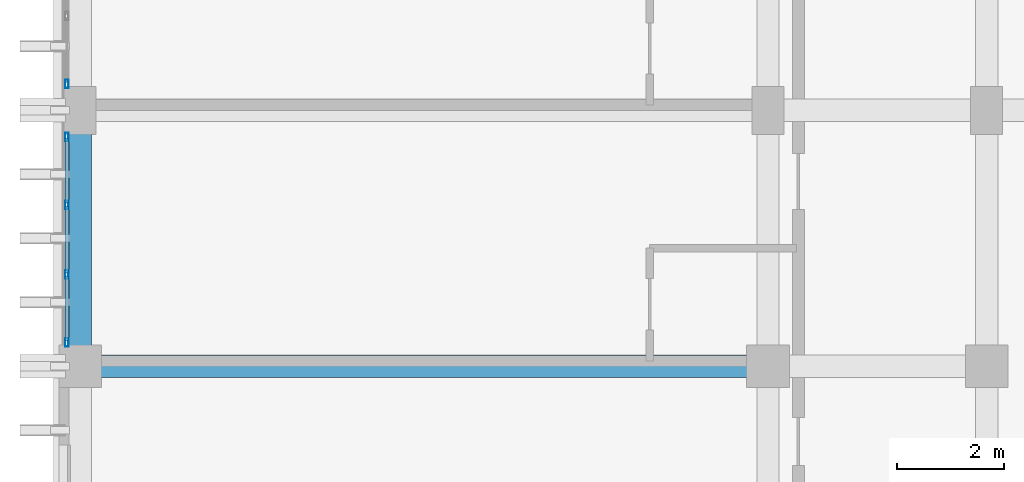
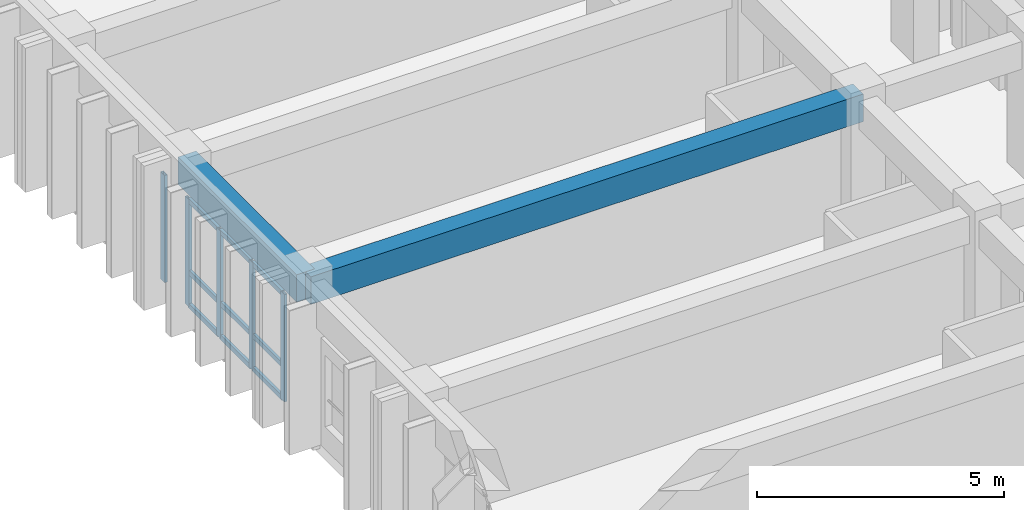
# One storey, part 20 of 82: 14 members, 2 beams, 2 elements without a shape of their own.
"""IFC4 building model written with IfcOpenShell, lengths in metres."""

from ifc_helpers import new_model, si_unit, direction, frame, origin, origin_2d, place, context, subcontext, project, spatial, rectangle, hollow_rectangle, extrude, material, layer, layer_set, material_profile, profile_set, type_object, element, aggregate, save


model = new_model("IFC4")

# Units and contexts
model_context = context("Model", 3, precision=1e-05, world=origin(), true_north=direction((0.0, 1.0)))
body_context = subcontext(model_context, "Body", "Model", "MODEL_VIEW")
ifc_project = project(units=[si_unit("LENGTHUNIT", "METRE"), si_unit("AREAUNIT", "SQUARE_METRE"), si_unit("VOLUMEUNIT", "CUBIC_METRE"), si_unit("PLANEANGLEUNIT", "RADIAN"), si_unit("MASSUNIT", "GRAM", prefix="KILO")], contexts=[model_context])

# Site, building, storey
site_placement = place(None, origin())
site = spatial("IfcSite", under=ifc_project, at=site_placement, CompositionType="ELEMENT")
building_placement = place(site_placement, origin())
building = spatial("IfcBuilding", under=site, at=building_placement, Name="Nakhvara Creek Congress Hotel", CompositionType="ELEMENT")
storey_placement = place(building_placement, frame((0.0, 0.0, 21.0)))
storey = spatial("IfcBuildingStorey", under=building, at=storey_placement, Name="L04", CompositionType="ELEMENT", Elevation=21.0)

# Beams
ifc_material_1 = material(Name="Concrete C40/50", Category="concrete")
ifc_material_profile_1 = material_profile(ifc_material_1, rectangle(XDim=0.419921875, YDim=0.679931640625, at=origin_2d()), Name="RC-BM 420x680", Category="LoadBearing")
ifc_profile_set_1 = profile_set([ifc_material_profile_1], Name="Concrete C40/50")
beam_type = type_object("IfcBeamType", Name="BM-RC-420X680", PredefinedType="BEAM", material=ifc_profile_set_1)
beam_1_placement = place(storey_placement, frame((149.449951171875, 57.60009765625, 3.0), z_axis=(1.0, 0.0, 0.0), x_axis=(0.0, 1.0, 0.0)))
element("IfcBeam", 1, at=beam_1_placement, inside=storey, type_object=beam_type, Name="Beam B11-L04-1920", PredefinedType="BEAM", context=body_context, shape_type="SweptSolid", body=[
    extrude(rectangle(XDim=0.419921875, YDim=0.679931640625, at=origin_2d()), origin(), (0.0, 0.0, 1.0), 12.900146484375),
])
beam_2_placement = place(storey_placement, frame((149.449951171875, 57.60009765625, 3.0), z_axis=(0.0, 1.0, 0.0), x_axis=(-1.0, 0.0, 0.0)))
element("IfcBeam", 2, at=beam_2_placement, inside=storey, type_object=beam_type, Name="Beam B11-L04-1922", PredefinedType="BEAM", context=body_context, shape_type="SweptSolid", body=[
    extrude(rectangle(XDim=0.419921875, YDim=0.679931640625, at=origin_2d()), origin(), (0.0, 0.0, 1.0), 4.7998046875),
])

# Curtain wall, members
ifc_material_2 = material(Name="Bronze-anodised aluminium AW-6063-T6 and double-silver low-E glass", Category="aluminium")
ifc_layer = layer(ifc_material_2, 0.199951171875)
ifc_layer_set = layer_set([ifc_layer], Name="Bronze-anodised aluminium AW-6063-T6 and double-silver low-E glass")
curtain_wall_type = type_object("IfcCurtainWallType", Name="CW-HTL-UNIT", PredefinedType="USERDEFINED", material=ifc_layer_set)
curtain_wall_1_placement = place(storey_placement, origin())
curtain_wall_1 = element("IfcCurtainWall", 3, at=curtain_wall_1_placement, inside=storey, type_object=curtain_wall_type, Name="Curtain Wall CW183", ObjectType="UNITISED", PredefinedType="USERDEFINED")
ifc_material_3 = material(Name="Bronze-anodised aluminium AW-6063-T6", Category="aluminium")
ifc_material_profile_2 = material_profile(ifc_material_3, hollow_rectangle(XDim=0.06494140625, YDim=0.159912109375, WallThickness=0.00390625, at=origin_2d()), Name="ALU-MULL 65x160x4", Category="LoadBearing")
ifc_profile_set_2 = profile_set([ifc_material_profile_2], Name="Bronze-anodised aluminium AW-6063-T6")
member_type_1 = type_object("IfcMemberType", Name="CW-MULL-160", PredefinedType="MULLION", material=ifc_profile_set_2)
member_1_placement = place(storey_placement, frame((149.199951171875, 58.047607421875, 0.0), z_axis=(0.0, 0.0, 1.0), x_axis=(-1.0, 0.0, 0.0)))
member_1 = element("IfcMember", 4, at=member_1_placement, type_object=member_type_1, Name="CW183 mullion 1", PredefinedType="MULLION", context=body_context, shape_type="SweptSolid", body=[
    extrude(hollow_rectangle(XDim=0.06494140625, YDim=0.159912109375, WallThickness=0.00390625, at=origin_2d()), origin(), (0.0, 0.0, 1.0), 2.652099609375),
])
member_2_placement = place(storey_placement, frame((149.199951171875, 59.32177734375, 0.0), z_axis=(0.0, 0.0, 1.0), x_axis=(-1.0, 0.0, 0.0)))
member_2 = element("IfcMember", 5, at=member_2_placement, type_object=member_type_1, Name="CW183 mullion 2", PredefinedType="MULLION", context=body_context, shape_type="SweptSolid", body=[
    extrude(hollow_rectangle(XDim=0.06494140625, YDim=0.159912109375, WallThickness=0.00390625, at=origin_2d()), origin(), (0.0, 0.0, 1.0), 2.652099609375),
])
member_3_placement = place(storey_placement, frame((149.199951171875, 60.62841796875, 0.0), z_axis=(0.0, 0.0, 1.0), x_axis=(-1.0, 0.0, 0.0)))
member_3 = element("IfcMember", 6, at=member_3_placement, type_object=member_type_1, Name="CW183 mullion 3", PredefinedType="MULLION", context=body_context, shape_type="SweptSolid", body=[
    extrude(hollow_rectangle(XDim=0.06494140625, YDim=0.159912109375, WallThickness=0.00390625, at=origin_2d()), origin(), (0.0, 0.0, 1.0), 2.652099609375),
])
member_4_placement = place(storey_placement, frame((149.199951171875, 61.902587890625, 0.0), z_axis=(0.0, 0.0, 1.0), x_axis=(-1.0, 0.0, 0.0)))
member_4 = element("IfcMember", 7, at=member_4_placement, type_object=member_type_1, Name="CW183 mullion 4", PredefinedType="MULLION", context=body_context, shape_type="SweptSolid", body=[
    extrude(hollow_rectangle(XDim=0.06494140625, YDim=0.159912109375, WallThickness=0.00390625, at=origin_2d()), origin(), (0.0, 0.0, 1.0), 2.652099609375),
])

# Curtain wall, member
curtain_wall_2_placement = place(storey_placement, origin())
curtain_wall_2 = element("IfcCurtainWall", 8, at=curtain_wall_2_placement, inside=storey, type_object=curtain_wall_type, Name="Curtain Wall CW185", ObjectType="UNITISED", PredefinedType="USERDEFINED")
member_5_placement = place(storey_placement, frame((149.199951171875, 62.8974609375, 0.0), z_axis=(0.0, 0.0, 1.0), x_axis=(-1.0, 0.0, 0.0)))
member_5 = element("IfcMember", 9, at=member_5_placement, type_object=member_type_1, Name="CW185 mullion 1", PredefinedType="MULLION", context=body_context, shape_type="SweptSolid", body=[
    extrude(hollow_rectangle(XDim=0.06494140625, YDim=0.159912109375, WallThickness=0.00390625, at=origin_2d()), origin(), (0.0, 0.0, 1.0), 2.652099609375),
])
aggregate(curtain_wall_2, [member_5])

# Member
ifc_material_profile_3 = material_profile(ifc_material_3, hollow_rectangle(XDim=0.06494140625, YDim=0.1201171875, WallThickness=0.00390625, at=origin_2d()), Name="ALU-TRAN 65x120x4", Category="LoadBearing")
ifc_profile_set_3 = profile_set([ifc_material_profile_3], Name="Bronze-anodised aluminium AW-6063-T6")
member_type_2 = type_object("IfcMemberType", Name="CW-TRAN-120", PredefinedType="USERDEFINED", material=ifc_profile_set_3)
member_6_placement = place(storey_placement, frame((149.199951171875, 58.080078125, 0.032470703125), z_axis=(0.0, 1.0, 0.0), x_axis=(-1.0, 0.0, 0.0)))
member_6 = element("IfcMember", 10, at=member_6_placement, type_object=member_type_2, Name="CW183 transom 1.1", ObjectType="TRANSOM", PredefinedType="USERDEFINED", context=body_context, shape_type="SweptSolid", body=[
    extrude(hollow_rectangle(XDim=0.06494140625, YDim=0.1201171875, WallThickness=0.00390625, at=origin_2d()), origin(), (0.0, 0.0, 1.0), 1.208984375),
])

member_7_placement = place(storey_placement, frame((149.199951171875, 58.080078125, 0.85009765625), z_axis=(0.0, 1.0, 0.0), x_axis=(-1.0, 0.0, 0.0)))
member_7 = element("IfcMember", 11, at=member_7_placement, type_object=member_type_2, Name="CW183 transom 1.2", ObjectType="TRANSOM", PredefinedType="USERDEFINED", context=body_context, shape_type="SweptSolid", body=[
    extrude(hollow_rectangle(XDim=0.06494140625, YDim=0.1201171875, WallThickness=0.00390625, at=origin_2d()), origin(), (0.0, 0.0, 1.0), 1.208984375),
])

member_8_placement = place(storey_placement, frame((149.199951171875, 58.080078125, 2.619384765625), z_axis=(0.0, 1.0, 0.0), x_axis=(-1.0, 0.0, 0.0)))
member_8 = element("IfcMember", 12, at=member_8_placement, type_object=member_type_2, Name="CW183 transom 1.3", ObjectType="TRANSOM", PredefinedType="USERDEFINED", context=body_context, shape_type="SweptSolid", body=[
    extrude(hollow_rectangle(XDim=0.06494140625, YDim=0.1201171875, WallThickness=0.00390625, at=origin_2d()), origin(), (0.0, 0.0, 1.0), 1.208984375),
])

member_9_placement = place(storey_placement, frame((149.199951171875, 59.354248046875, 0.032470703125), z_axis=(0.0, 1.0, 0.0), x_axis=(-1.0, 0.0, 0.0)))
member_9 = element("IfcMember", 13, at=member_9_placement, type_object=member_type_2, Name="CW183 transom 2.1", ObjectType="TRANSOM", PredefinedType="USERDEFINED", context=body_context, shape_type="SweptSolid", body=[
    extrude(hollow_rectangle(XDim=0.06494140625, YDim=0.1201171875, WallThickness=0.00390625, at=origin_2d()), origin(), (0.0, 0.0, 1.0), 1.24169921875),
])

member_10_placement = place(storey_placement, frame((149.199951171875, 59.354248046875, 0.85009765625), z_axis=(0.0, 1.0, 0.0), x_axis=(-1.0, 0.0, 0.0)))
member_10 = element("IfcMember", 14, at=member_10_placement, type_object=member_type_2, Name="CW183 transom 2.2", ObjectType="TRANSOM", PredefinedType="USERDEFINED", context=body_context, shape_type="SweptSolid", body=[
    extrude(hollow_rectangle(XDim=0.06494140625, YDim=0.1201171875, WallThickness=0.00390625, at=origin_2d()), origin(), (0.0, 0.0, 1.0), 1.24169921875),
])

member_11_placement = place(storey_placement, frame((149.199951171875, 59.354248046875, 2.619384765625), z_axis=(0.0, 1.0, 0.0), x_axis=(-1.0, 0.0, 0.0)))
member_11 = element("IfcMember", 15, at=member_11_placement, type_object=member_type_2, Name="CW183 transom 2.3", ObjectType="TRANSOM", PredefinedType="USERDEFINED", context=body_context, shape_type="SweptSolid", body=[
    extrude(hollow_rectangle(XDim=0.06494140625, YDim=0.1201171875, WallThickness=0.00390625, at=origin_2d()), origin(), (0.0, 0.0, 1.0), 1.24169921875),
])

member_12_placement = place(storey_placement, frame((149.199951171875, 60.660888671875, 0.032470703125), z_axis=(0.0, 1.0, 0.0), x_axis=(-1.0, 0.0, 0.0)))
member_12 = element("IfcMember", 16, at=member_12_placement, type_object=member_type_2, Name="CW183 transom 3.1", ObjectType="TRANSOM", PredefinedType="USERDEFINED", context=body_context, shape_type="SweptSolid", body=[
    extrude(hollow_rectangle(XDim=0.06494140625, YDim=0.1201171875, WallThickness=0.00390625, at=origin_2d()), origin(), (0.0, 0.0, 1.0), 1.209228515625),
])

member_13_placement = place(storey_placement, frame((149.199951171875, 60.660888671875, 0.85009765625), z_axis=(0.0, 1.0, 0.0), x_axis=(-1.0, 0.0, 0.0)))
member_13 = element("IfcMember", 17, at=member_13_placement, type_object=member_type_2, Name="CW183 transom 3.2", ObjectType="TRANSOM", PredefinedType="USERDEFINED", context=body_context, shape_type="SweptSolid", body=[
    extrude(hollow_rectangle(XDim=0.06494140625, YDim=0.1201171875, WallThickness=0.00390625, at=origin_2d()), origin(), (0.0, 0.0, 1.0), 1.209228515625),
])

member_14_placement = place(storey_placement, frame((149.199951171875, 60.660888671875, 2.619384765625), z_axis=(0.0, 1.0, 0.0), x_axis=(-1.0, 0.0, 0.0)))
member_14 = element("IfcMember", 18, at=member_14_placement, type_object=member_type_2, Name="CW183 transom 3.3", ObjectType="TRANSOM", PredefinedType="USERDEFINED", context=body_context, shape_type="SweptSolid", body=[
    extrude(hollow_rectangle(XDim=0.06494140625, YDim=0.1201171875, WallThickness=0.00390625, at=origin_2d()), origin(), (0.0, 0.0, 1.0), 1.209228515625),
])

aggregate(curtain_wall_1, [member_1, member_2, member_3, member_4, member_6, member_7, member_8, member_9, member_10, member_11, member_12, member_13, member_14])

save(model, "model.ifc")
